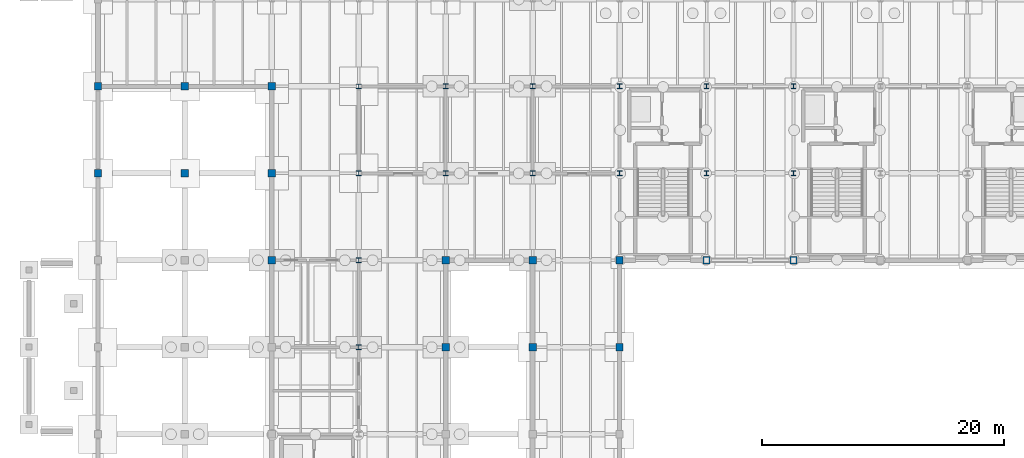
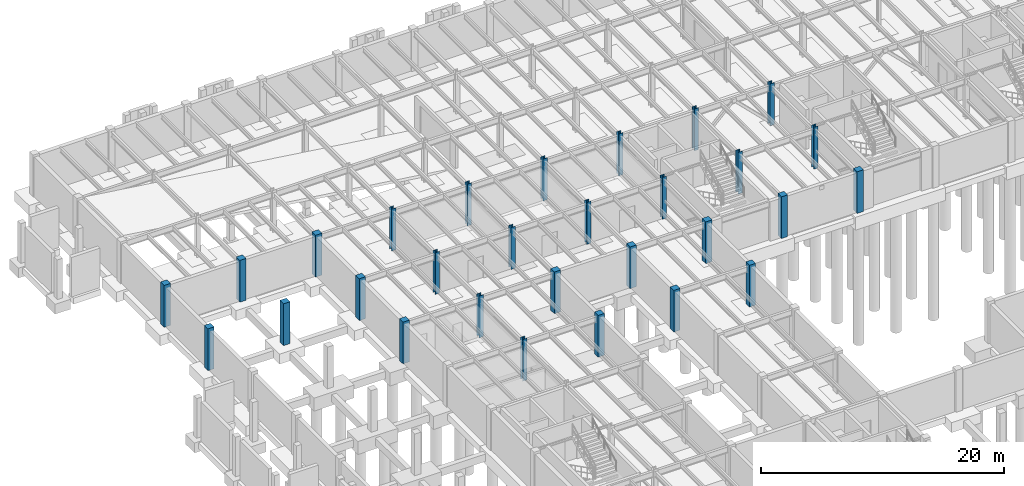
# One storey, part 14 of 46: 29 columns.
"""IFC4 building model written with IfcOpenShell, lengths in metres."""

from ifc_helpers import new_model, si_unit, direction, frame, origin, origin_2d, place, context, subcontext, project, spatial, rectangle, i_section, extrude, material, material_profile, profile_set, type_object, element, save


model = new_model("IFC4")

# Units and contexts
model_context = context("Model", 3, precision=1e-05, world=origin(), true_north=direction((0.0, 1.0)))
body_context = subcontext(model_context, "Body", "Model", "MODEL_VIEW")
ifc_project = project(units=[si_unit("LENGTHUNIT", "METRE"), si_unit("AREAUNIT", "SQUARE_METRE"), si_unit("VOLUMEUNIT", "CUBIC_METRE"), si_unit("PLANEANGLEUNIT", "RADIAN"), si_unit("MASSUNIT", "GRAM", prefix="KILO")], contexts=[model_context])

# Site, building, storey
site_placement = place(None, origin())
site = spatial("IfcSite", under=ifc_project, at=site_placement, CompositionType="ELEMENT")
building_placement = place(site_placement, origin())
building = spatial("IfcBuilding", under=site, at=building_placement, Name="Sillqori Civic Hall", CompositionType="ELEMENT")
storey_placement = place(building_placement, frame((0.0, 0.0, -4.199951171875)))
storey = spatial("IfcBuildingStorey", under=building, at=storey_placement, Name="B01", CompositionType="ELEMENT", Elevation=-4.199951171875)

# Columns
ifc_material_1 = material(Name="Concrete C35/45 (H35)", Category="concrete")
ifc_material_profile_1 = material_profile(ifc_material_1, rectangle(XDim=0.60009765625, YDim=0.60009765625, at=origin_2d()), Name="RC 600x600")
ifc_profile_set_1 = profile_set([ifc_material_profile_1], Name="Concrete C35/45 (H35)")
column_type_1 = type_object("IfcColumnType", Name="COL-RC600", PredefinedType="COLUMN", material=ifc_profile_set_1)
for number, where, z_axis, x_axis, name in (
    (1, (7.199951171875, 86.39990234375, 0.0), (0.0, 0.0, 1.0), (1.0, 0.0, 0.0), "B01 column 1-12"),
    (2, (7.199951171875, 93.60009765625, 0.0), (0.0, 0.0, 1.0), (1.0, 0.0, 0.0), "B01 column 1-13"),
    (3, (14.39990234375, 86.39990234375, 0.0), (0.0, 0.0, 1.0), (1.0, 0.0, 0.0), "B01 column 2-12"),
    (4, (14.39990234375, 93.60009765625, 0.0), (0.0, 0.0, 1.0), (1.0, 0.0, 0.0), "B01 column 2-13"),
    (5, (21.60009765625, 79.199951171875, 0.0), (0.0, 0.0, 1.0), (1.0, 0.0, 0.0), "B01 column 3-11"),
    (6, (21.60009765625, 86.39990234375, 0.0), (0.0, 0.0, 1.0), (1.0, 0.0, 0.0), "B01 column 3-12"),
    (7, (21.60009765625, 93.60009765625, 0.0), (0.0, 0.0, 1.0), (1.0, 0.0, 0.0), "B01 column 3-13"),
    (8, (36.0, 72.0, 0.0), (0.0, 0.0, 1.0), (1.0, 0.0, 0.0), "B01 column 5-10"),
    (9, (36.0, 79.199951171875, 0.0), (0.0, 0.0, 1.0), (1.0, 0.0, 0.0), "B01 column 5-11"),
    (10, (43.199951171875, 72.0, 0.0), (0.0, 0.0, 1.0), (1.0, 0.0, 0.0), "B01 column 6-10"),
    (11, (43.199951171875, 79.199951171875, 0.0), (0.0, 0.0, 1.0), (1.0, 0.0, 0.0), "B01 column 6-11"),
    (12, (50.39990234375, 72.0, 0.0), (0.0, 0.0, 1.0), (1.0, 0.0, 0.0), "B01 column 7-10"),
    (13, (50.39990234375, 79.199951171875, 0.0), (0.0, 0.0, 1.0), (1.0, 0.0, 0.0), "B01 column 7-11"),
    (14, (57.60009765625, 79.199951171875, 0.0), (0.0, 0.0, 1.0), (1.0, 0.0, 0.0), "B01 column 8-11"),
    (15, (64.800048828125, 79.199951171875, 0.0), (0.0, 0.0, 1.0), (1.0, 0.0, 0.0), "B01 column 9-11"),
):
    element("IfcColumn", number, at=place(storey_placement, frame(where, z_axis=z_axis, x_axis=x_axis)), inside=storey, type_object=column_type_1, Name=name, PredefinedType="COLUMN", context=body_context, shape_type="SweptSolid", body=[
        extrude(rectangle(XDim=0.60009765625, YDim=0.60009765625, at=origin_2d()), origin(), (0.0, 0.0, 1.0), 4.199951171875),
    ])
ifc_material_2 = material(Name="Steel ASTM A992", Category="steel")
ifc_material_profile_2 = material_profile(ifc_material_2, i_section(OverallWidth=0.39892578125, OverallDepth=0.385986328125, WebThickness=0.02099609375, FlangeThickness=0.033203125, FilletRadius=0.014892578125, at=origin_2d()), Name="W14X176")
ifc_profile_set_2 = profile_set([ifc_material_profile_2], Name="Steel ASTM A992")
column_type_2 = type_object("IfcColumnType", Name="COL-W14X176", PredefinedType="COLUMN", material=ifc_profile_set_2)
for number, where, z_axis, x_axis, name in (
    (16, (28.800048828125, 86.39990234375, 0.0), (0.0, 0.0, 1.0), (1.0, 0.0, 0.0), "B01 column 4-12"),
    (17, (28.800048828125, 93.60009765625, 0.0), (0.0, 0.0, 1.0), (1.0, 0.0, 0.0), "B01 column 4-13"),
):
    element("IfcColumn", number, at=place(storey_placement, frame(where, z_axis=z_axis, x_axis=x_axis)), inside=storey, type_object=column_type_2, Name=name, PredefinedType="COLUMN", context=body_context, shape_type="SweptSolid", body=[
        extrude(i_section(OverallWidth=0.39892578125, OverallDepth=0.385986328125, WebThickness=0.02099609375, FlangeThickness=0.033203125, FilletRadius=0.014892578125, at=origin_2d()), origin(), (0.0, 0.0, 1.0), 4.199951171875),
    ])
ifc_material_profile_3 = material_profile(ifc_material_2, i_section(OverallWidth=0.39892578125, OverallDepth=0.39404296875, WebThickness=0.022705078125, FlangeThickness=0.03662109375, FilletRadius=0.014892578125, at=origin_2d()), Name="W14X193")
ifc_profile_set_3 = profile_set([ifc_material_profile_3], Name="Steel ASTM A992")
column_type_3 = type_object("IfcColumnType", Name="COL-W14X193", PredefinedType="COLUMN", material=ifc_profile_set_3)
for number, where, z_axis, x_axis, name in (
    (18, (28.800048828125, 72.0, 0.0), (0.0, 0.0, 1.0), (1.0, 0.0, 0.0), "B01 column 4-10"),
    (19, (28.800048828125, 79.199951171875, 0.0), (0.0, 0.0, 1.0), (1.0, 0.0, 0.0), "B01 column 4-11"),
    (20, (36.0, 86.39990234375, 0.0), (0.0, 0.0, 1.0), (1.0, 0.0, 0.0), "B01 column 5-12"),
    (21, (36.0, 93.60009765625, 0.0), (0.0, 0.0, 1.0), (1.0, 0.0, 0.0), "B01 column 5-13"),
    (22, (43.199951171875, 86.39990234375, 0.0), (0.0, 0.0, 1.0), (1.0, 0.0, 0.0), "B01 column 6-12"),
    (23, (43.199951171875, 93.60009765625, 0.0), (0.0, 0.0, 1.0), (1.0, 0.0, 0.0), "B01 column 6-13"),
):
    element("IfcColumn", number, at=place(storey_placement, frame(where, z_axis=z_axis, x_axis=x_axis)), inside=storey, type_object=column_type_3, Name=name, PredefinedType="COLUMN", context=body_context, shape_type="SweptSolid", body=[
        extrude(i_section(OverallWidth=0.39892578125, OverallDepth=0.39404296875, WebThickness=0.022705078125, FlangeThickness=0.03662109375, FilletRadius=0.014892578125, at=origin_2d()), origin(), (0.0, 0.0, 1.0), 4.199951171875),
    ])
ifc_material_profile_4 = material_profile(ifc_material_2, i_section(OverallWidth=0.404052734375, OverallDepth=0.406005859375, WebThickness=0.027099609375, FlangeThickness=0.043701171875, FilletRadius=0.014892578125, at=origin_2d()), Name="W14X233")
ifc_profile_set_4 = profile_set([ifc_material_profile_4], Name="Steel ASTM A992")
column_type_4 = type_object("IfcColumnType", Name="COL-W14X233", PredefinedType="COLUMN", material=ifc_profile_set_4)
for number, where, z_axis, x_axis, name in (
    (24, (50.39990234375, 86.39990234375, 0.0), (0.0, 0.0, 1.0), (1.0, 0.0, 0.0), "B01 column 7-12"),
    (25, (50.39990234375, 93.60009765625, 0.0), (0.0, 0.0, 1.0), (1.0, 0.0, 0.0), "B01 column 7-13"),
    (26, (57.60009765625, 86.39990234375, 0.0), (0.0, 0.0, 1.0), (1.0, 0.0, 0.0), "B01 column 8-12"),
    (27, (57.60009765625, 93.60009765625, 0.0), (0.0, 0.0, 1.0), (1.0, 0.0, 0.0), "B01 column 8-13"),
    (28, (64.800048828125, 86.39990234375, 0.0), (0.0, 0.0, 1.0), (1.0, 0.0, 0.0), "B01 column 9-12"),
    (29, (64.800048828125, 93.60009765625, 0.0), (0.0, 0.0, 1.0), (1.0, 0.0, 0.0), "B01 column 9-13"),
):
    element("IfcColumn", number, at=place(storey_placement, frame(where, z_axis=z_axis, x_axis=x_axis)), inside=storey, type_object=column_type_4, Name=name, PredefinedType="COLUMN", context=body_context, shape_type="SweptSolid", body=[
        extrude(i_section(OverallWidth=0.404052734375, OverallDepth=0.406005859375, WebThickness=0.027099609375, FlangeThickness=0.043701171875, FilletRadius=0.014892578125, at=origin_2d()), origin(), (0.0, 0.0, 1.0), 4.199951171875),
    ])

save(model, "model.ifc")
